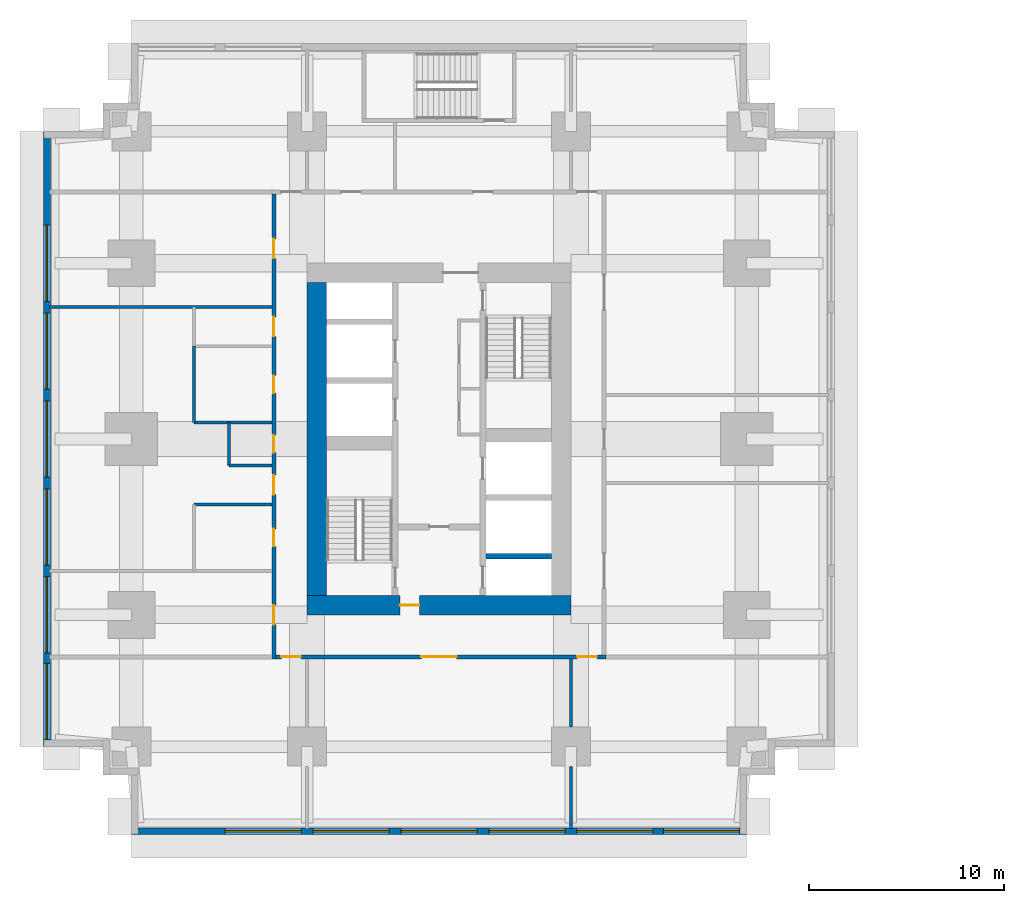
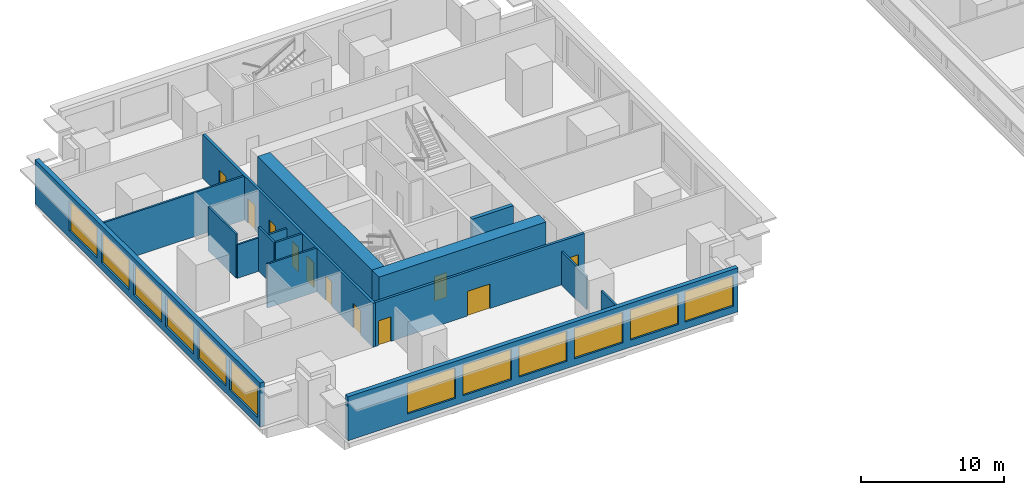
# One storey, part 3 of 11: 15 walls, 12 windows, 11 doors, 23 openings.
"""IFC4 building model written with IfcOpenShell, lengths in metres."""

from ifc_helpers import new_model, si_unit, direction, frame, frame_2d, origin, place, context, subcontext, project, spatial, rectangle, extrude, material, layer, layer_set, type_object, element, fill, save


model = new_model("IFC4")

# Units and contexts
model_context = context("Model", 3, precision=1e-05, world=origin(), true_north=direction((0.0, 1.0)))
body_context = subcontext(model_context, "Body", "Model", "MODEL_VIEW")
ifc_project = project(units=[si_unit("LENGTHUNIT", "METRE"), si_unit("AREAUNIT", "SQUARE_METRE"), si_unit("VOLUMEUNIT", "CUBIC_METRE"), si_unit("PLANEANGLEUNIT", "RADIAN"), si_unit("MASSUNIT", "GRAM", prefix="KILO")], contexts=[model_context])

# Site, building, storey
site_placement = place(None, origin())
site = spatial("IfcSite", under=ifc_project, at=site_placement, CompositionType="ELEMENT")
building_placement = place(site_placement, origin())
building = spatial("IfcBuilding", under=site, at=building_placement, Name="Namib Vertical Campus", CompositionType="ELEMENT")
storey_placement = place(building_placement, frame((0.0, 0.0, 49.0)))
storey = spatial("IfcBuildingStorey", under=building, at=storey_placement, Name="L11", CompositionType="ELEMENT", Elevation=49.0)

# Wall
ifc_material_1 = material(Name="Concrete C60/75", Category="concrete")
ifc_layer_1 = layer(ifc_material_1, 0.300048828125)
ifc_layer_set_1 = layer_set([ifc_layer_1], Name="Concrete C60/75")
wall_type_1 = type_object("IfcWallType", Name="Core inner wall 300", PredefinedType="SHEAR", material=ifc_layer_set_1)
wall_1_placement = place(storey_placement, frame((22.64990234375, 14.25, 0.0), z_axis=(0.0, 0.0, 1.0), x_axis=(1.0, 0.0, 0.0)))
element("IfcWall", 1, at=wall_1_placement, inside=storey, type_object=wall_type_1, Name="Core inner wall A L11 W5", PredefinedType="SHEAR", context=body_context, shape_type="SweptSolid", body=[
    extrude(rectangle(XDim=3.35009765625, YDim=0.300048828125, at=frame_2d((1.675048828125, 0.0))), origin(), (0.0, 0.0, 1.0), 4.0),
])

# Wall, opening, door
ifc_material_2 = material(Name="Concrete C60/75", Category="concrete")
ifc_layer_2 = layer(ifc_material_2, 1.0)
ifc_layer_set_2 = layer_set([ifc_layer_2], Name="Concrete C60/75")
wall_type_2 = type_object("IfcWallType", Name="Core wall 1000", PredefinedType="SHEAR", material=ifc_layer_set_2)
wall_2_placement = place(storey_placement, frame((13.5, 11.75, 0.0), z_axis=(0.0, 0.0, 1.0), x_axis=(1.0, 0.0, 0.0)))
wall_2 = element("IfcWall", 2, at=wall_2_placement, inside=storey, type_object=wall_type_2, Name="Core wall A L11 1", PredefinedType="SHEAR", context=body_context, shape_type="SweptSolid", body=[
    extrude(rectangle(XDim=13.5, YDim=1.0, at=frame_2d((6.75, 0.0))), origin(), (0.0, 0.0, 1.0), 4.0),
])
opening_1_placement = place(wall_2_placement, frame((4.75, 0.0, 0.0)))
opening_1 = element("IfcOpeningElement", 3, at=opening_1_placement, cuts=wall_2, Name="Opening FD5", PredefinedType="OPENING", context=body_context, shape_type="SweptSolid", body=[
    extrude(rectangle(XDim=1.0, YDim=2.10009765625, at=frame_2d((0.5, 1.050048828125))), frame((0.0, 0.510009765625, 0.0), z_axis=(0.0, -1.0, 0.0), x_axis=(1.0, 0.0, 0.0)), (0.0, 0.0, 1.0), 1.02001953125),
])
ifc_material_3 = material(Name="Steel fire door", Category="steel")
door_type_1 = type_object("IfcDoorType", Name="Fire door 1000x2100 120 min", OperationType="SINGLE_SWING_RIGHT", PredefinedType="DOOR", material=ifc_material_3)
door_1_placement = place(opening_1_placement, origin())
door_1 = element("IfcDoor", 4, at=door_1_placement, inside=storey, type_object=door_type_1, Name="Firefighting lobby door FD5 A L11", OperationType="SINGLE_SWING_LEFT", OverallHeight=2.10009765625, OverallWidth=1.0, PredefinedType="DOOR", context=body_context, shape_type="SweptSolid", body=[
    extrude(rectangle(XDim=1.0, YDim=2.10009765625, at=frame_2d((0.5, 1.050048828125))), frame((0.0, 0.02490234375, 0.0), z_axis=(0.0, -1.0, 0.0), x_axis=(1.0, 0.0, 0.0)), (0.0, 0.0, 1.0), 0.050048828125),
])
fill(opening_1, door_1)

# Wall
wall_3_placement = place(storey_placement, frame((14.0, 28.25, 0.0), z_axis=(0.0, 0.0, 1.0), x_axis=(0.0, -1.0, 0.0)))
element("IfcWall", 5, at=wall_3_placement, inside=storey, type_object=wall_type_2, Name="Core wall A L11 4", PredefinedType="SHEAR", context=body_context, shape_type="SweptSolid", body=[
    extrude(rectangle(XDim=16.0, YDim=1.0, at=frame_2d((8.0, 0.0))), origin(), (0.0, 0.0, 1.0), 4.0),
])

# Wall, openings, doors
ifc_material_4 = material(Name="Concrete masonry", Category="masonry")
ifc_layer_3 = layer(ifc_material_4, 0.199951171875)
ifc_layer_set_3 = layer_set([ifc_layer_3], Name="Corridor wall 200")
wall_type_3 = type_object("IfcWallType", Name="Corridor wall 200", PredefinedType="SOLIDWALL", material=ifc_layer_set_3)
wall_4_placement = place(storey_placement, frame((11.89990234375, 9.10009765625, 0.0), z_axis=(0.0, 0.0, 1.0), x_axis=(1.0, 0.0, 0.0)))
wall_4 = element("IfcWall", 6, at=wall_4_placement, inside=storey, type_object=wall_type_3, Name="Corridor wall A L11 CS", PredefinedType="SOLIDWALL", context=body_context, shape_type="SweptSolid", body=[
    extrude(rectangle(XDim=16.900146484375, YDim=0.199951171875, at=frame_2d((8.4501953125, 0.0))), origin(), (0.0, 0.0, 1.0), 3.75),
])
opening_2_placement = place(wall_4_placement, frame((0.27490234375, 0.0, 0.0)))
opening_2 = element("IfcOpeningElement", 7, at=opening_2_placement, cuts=wall_4, Name="Opening CD1", PredefinedType="OPENING", context=body_context, shape_type="SweptSolid", body=[
    extrude(rectangle(XDim=1.0, YDim=2.10009765625, at=frame_2d((0.5, 1.050048828125))), frame((0.0, 0.10986328125, 0.0), z_axis=(0.0, -1.0, 0.0), x_axis=(1.0, 0.0, 0.0)), (0.0, 0.0, 1.0), 0.219970703125),
])
opening_3_placement = place(wall_4_placement, frame((7.449951171875, 0.0, 0.0)))
opening_3 = element("IfcOpeningElement", 8, at=opening_3_placement, cuts=wall_4, Name="Opening CD2", PredefinedType="OPENING", context=body_context, shape_type="SweptSolid", body=[
    extrude(rectangle(XDim=1.800048828125, YDim=2.10009765625, at=frame_2d((0.89990234375, 1.050048828125))), frame((0.0, 0.10986328125, 0.0), z_axis=(0.0, -1.0, 0.0), x_axis=(1.0, 0.0, 0.0)), (0.0, 0.0, 1.0), 0.219970703125),
])
opening_4_placement = place(wall_4_placement, frame((15.425048828125, 0.0, 0.0)))
opening_4 = element("IfcOpeningElement", 9, at=opening_4_placement, cuts=wall_4, Name="Opening CD1", PredefinedType="OPENING", context=body_context, shape_type="SweptSolid", body=[
    extrude(rectangle(XDim=1.0, YDim=2.10009765625, at=frame_2d((0.5, 1.050048828125))), frame((0.0, 0.10986328125, 0.0), z_axis=(0.0, -1.0, 0.0), x_axis=(1.0, 0.0, 0.0)), (0.0, 0.0, 1.0), 0.219970703125),
])
ifc_material_5 = material(Name="Timber fire door leaf", Category="wood")
door_type_2 = type_object("IfcDoorType", Name="Corridor door 1000x2100 20 min", OperationType="SINGLE_SWING_LEFT", PredefinedType="DOOR", material=ifc_material_5)
door_2_placement = place(opening_2_placement, frame((1.0, 0.0, 0.0), z_axis=(0.0, 0.0, 1.0), x_axis=(-1.0, 0.0, 0.0)))
door_2 = element("IfcDoor", 10, at=door_2_placement, inside=storey, type_object=door_type_2, Name="Door CD1 A11-01", OperationType="SINGLE_SWING_LEFT", OverallHeight=2.10009765625, OverallWidth=1.0, PredefinedType="DOOR", context=body_context, shape_type="SweptSolid", body=[
    extrude(rectangle(XDim=1.0, YDim=2.10009765625, at=frame_2d((0.5, 1.050048828125))), frame((0.0, 0.02490234375, 0.0), z_axis=(0.0, -1.0, 0.0), x_axis=(1.0, 0.0, 0.0)), (0.0, 0.0, 1.0), 0.050048828125),
])
fill(opening_2, door_2)
door_3_placement = place(opening_4_placement, frame((1.0, 0.0, 0.0), z_axis=(0.0, 0.0, 1.0), x_axis=(-1.0, 0.0, 0.0)))
door_3 = element("IfcDoor", 11, at=door_3_placement, inside=storey, type_object=door_type_2, Name="Door CD1 A11-03", OperationType="SINGLE_SWING_RIGHT", OverallHeight=2.10009765625, OverallWidth=1.0, PredefinedType="DOOR", context=body_context, shape_type="SweptSolid", body=[
    extrude(rectangle(XDim=1.0, YDim=2.10009765625, at=frame_2d((0.5, 1.050048828125))), frame((0.0, 0.02490234375, 0.0), z_axis=(0.0, -1.0, 0.0), x_axis=(1.0, 0.0, 0.0)), (0.0, 0.0, 1.0), 0.050048828125),
])
fill(opening_4, door_3)
ifc_material_6 = material(Name="Timber fire door leaf", Category="wood")
door_type_3 = type_object("IfcDoorType", Name="Corridor door double 1800x2100 20 min", OperationType="DOUBLE_DOOR_SINGLE_SWING", PredefinedType="DOOR", material=ifc_material_6)
door_4_placement = place(opening_3_placement, frame((1.800048828125, 0.0, 0.0), z_axis=(0.0, 0.0, 1.0), x_axis=(-1.0, 0.0, 0.0)))
door_4 = element("IfcDoor", 12, at=door_4_placement, inside=storey, type_object=door_type_3, Name="Door CD2 A11-02", OperationType="DOUBLE_DOOR_SINGLE_SWING", OverallHeight=2.10009765625, OverallWidth=1.800048828125, PredefinedType="DOOR", context=body_context, shape_type="SweptSolid", body=[
    extrude(rectangle(XDim=1.800048828125, YDim=2.10009765625, at=frame_2d((0.89990234375, 1.050048828125))), frame((0.0, 0.02490234375, 0.0), z_axis=(0.0, -1.0, 0.0), x_axis=(1.0, 0.0, 0.0)), (0.0, 0.0, 1.0), 0.050048828125),
])
fill(opening_3, door_4)

wall_5_placement = place(storey_placement, frame((11.800048828125, 32.800048828125, 0.0), z_axis=(0.0, 0.0, 1.0), x_axis=(0.0, -1.0, 0.0)))
wall_5 = element("IfcWall", 13, at=wall_5_placement, inside=storey, type_object=wall_type_3, Name="Corridor wall A L11 CW", PredefinedType="SOLIDWALL", context=body_context, shape_type="SweptSolid", body=[
    extrude(rectangle(XDim=23.800048828125, YDim=0.199951171875, at=frame_2d((11.89990234375, 0.0))), origin(), (0.0, 0.0, 1.0), 3.75),
])
opening_5_placement = place(wall_5_placement, frame((21.050048828125, 0.0, 0.0)))
opening_5 = element("IfcOpeningElement", 14, at=opening_5_placement, cuts=wall_5, Name="Opening CD1", PredefinedType="OPENING", context=body_context, shape_type="SweptSolid", body=[
    extrude(rectangle(XDim=1.0, YDim=2.10009765625, at=frame_2d((0.5, 1.050048828125))), frame((0.0, 0.10986328125, 0.0), z_axis=(0.0, -1.0, 0.0), x_axis=(1.0, 0.0, 0.0)), (0.0, 0.0, 1.0), 0.219970703125),
])
opening_6_placement = place(wall_5_placement, frame((17.14990234375, 0.0, 0.0)))
opening_6 = element("IfcOpeningElement", 15, at=opening_6_placement, cuts=wall_5, Name="Opening CD3", PredefinedType="OPENING", context=body_context, shape_type="SweptSolid", body=[
    extrude(rectangle(XDim=0.89990234375, YDim=2.10009765625, at=frame_2d((0.449951171875, 1.050048828125))), frame((0.0, 0.10986328125, 0.0), z_axis=(0.0, -1.0, 0.0), x_axis=(1.0, 0.0, 0.0)), (0.0, 0.0, 1.0), 0.219970703125),
])
opening_7_placement = place(wall_5_placement, frame((12.35009765625, 0.0, 0.0)))
opening_7 = element("IfcOpeningElement", 16, at=opening_7_placement, cuts=wall_5, Name="Opening CD3", PredefinedType="OPENING", context=body_context, shape_type="SweptSolid", body=[
    extrude(rectangle(XDim=0.89990234375, YDim=2.10009765625, at=frame_2d((0.449951171875, 1.050048828125))), frame((0.0, 0.10986328125, 0.0), z_axis=(0.0, -1.0, 0.0), x_axis=(1.0, 0.0, 0.0)), (0.0, 0.0, 1.0), 0.219970703125),
])
opening_8_placement = place(wall_5_placement, frame((9.300048828125, 0.0, 0.0)))
opening_8 = element("IfcOpeningElement", 17, at=opening_8_placement, cuts=wall_5, Name="Opening CD3", PredefinedType="OPENING", context=body_context, shape_type="SweptSolid", body=[
    extrude(rectangle(XDim=0.89990234375, YDim=2.10009765625, at=frame_2d((0.449951171875, 1.050048828125))), frame((0.0, 0.10986328125, 0.0), z_axis=(0.0, -1.0, 0.0), x_axis=(1.0, 0.0, 0.0)), (0.0, 0.0, 1.0), 0.219970703125),
])
opening_9_placement = place(wall_5_placement, frame((6.300048828125, 0.0, 0.0)))
opening_9 = element("IfcOpeningElement", 18, at=opening_9_placement, cuts=wall_5, Name="Opening CD1", PredefinedType="OPENING", context=body_context, shape_type="SweptSolid", body=[
    extrude(rectangle(XDim=1.0, YDim=2.10009765625, at=frame_2d((0.5, 1.050048828125))), frame((0.0, 0.10986328125, 0.0), z_axis=(0.0, -1.0, 0.0), x_axis=(1.0, 0.0, 0.0)), (0.0, 0.0, 1.0), 0.219970703125),
])
opening_10_placement = place(wall_5_placement, frame((14.39990234375, 0.0, 0.0)))
opening_10 = element("IfcOpeningElement", 19, at=opening_10_placement, cuts=wall_5, Name="Opening CD1", PredefinedType="OPENING", context=body_context, shape_type="SweptSolid", body=[
    extrude(rectangle(XDim=1.0, YDim=2.10009765625, at=frame_2d((0.5, 1.050048828125))), frame((0.0, 0.10986328125, 0.0), z_axis=(0.0, -1.0, 0.0), x_axis=(1.0, 0.0, 0.0)), (0.0, 0.0, 1.0), 0.219970703125),
])
opening_11_placement = place(wall_5_placement, frame((2.300048828125, 0.0, 0.0)))
opening_11 = element("IfcOpeningElement", 20, at=opening_11_placement, cuts=wall_5, Name="Opening CD1", PredefinedType="OPENING", context=body_context, shape_type="SweptSolid", body=[
    extrude(rectangle(XDim=1.0, YDim=2.10009765625, at=frame_2d((0.5, 1.050048828125))), frame((0.0, 0.10986328125, 0.0), z_axis=(0.0, -1.0, 0.0), x_axis=(1.0, 0.0, 0.0)), (0.0, 0.0, 1.0), 0.219970703125),
])
door_5_placement = place(opening_5_placement, frame((1.0, 0.0, 0.0), z_axis=(0.0, 0.0, 1.0), x_axis=(-1.0, 0.0, 0.0)))
door_5 = element("IfcDoor", 21, at=door_5_placement, inside=storey, type_object=door_type_2, Name="Door CD1 A11-11", OperationType="SINGLE_SWING_RIGHT", OverallHeight=2.10009765625, OverallWidth=1.0, PredefinedType="DOOR", context=body_context, shape_type="SweptSolid", body=[
    extrude(rectangle(XDim=1.0, YDim=2.10009765625, at=frame_2d((0.5, 1.050048828125))), frame((0.0, 0.02490234375, 0.0), z_axis=(0.0, -1.0, 0.0), x_axis=(1.0, 0.0, 0.0)), (0.0, 0.0, 1.0), 0.050048828125),
])
fill(opening_5, door_5)
door_6_placement = place(opening_9_placement, frame((1.0, 0.0, 0.0), z_axis=(0.0, 0.0, 1.0), x_axis=(-1.0, 0.0, 0.0)))
door_6 = element("IfcDoor", 22, at=door_6_placement, inside=storey, type_object=door_type_2, Name="Door CD1 A11-15", OperationType="SINGLE_SWING_RIGHT", OverallHeight=2.10009765625, OverallWidth=1.0, PredefinedType="DOOR", context=body_context, shape_type="SweptSolid", body=[
    extrude(rectangle(XDim=1.0, YDim=2.10009765625, at=frame_2d((0.5, 1.050048828125))), frame((0.0, 0.02490234375, 0.0), z_axis=(0.0, -1.0, 0.0), x_axis=(1.0, 0.0, 0.0)), (0.0, 0.0, 1.0), 0.050048828125),
])
fill(opening_9, door_6)
door_7_placement = place(opening_10_placement, frame((1.0, 0.0, 0.0), z_axis=(0.0, 0.0, 1.0), x_axis=(-1.0, 0.0, 0.0)))
door_7 = element("IfcDoor", 23, at=door_7_placement, inside=storey, type_object=door_type_2, Name="Door CD1 A11-16", OperationType="SINGLE_SWING_RIGHT", OverallHeight=2.10009765625, OverallWidth=1.0, PredefinedType="DOOR", context=body_context, shape_type="SweptSolid", body=[
    extrude(rectangle(XDim=1.0, YDim=2.10009765625, at=frame_2d((0.5, 1.050048828125))), frame((0.0, 0.02490234375, 0.0), z_axis=(0.0, -1.0, 0.0), x_axis=(1.0, 0.0, 0.0)), (0.0, 0.0, 1.0), 0.050048828125),
])
fill(opening_10, door_7)
door_8_placement = place(opening_11_placement, frame((1.0, 0.0, 0.0), z_axis=(0.0, 0.0, 1.0), x_axis=(-1.0, 0.0, 0.0)))
door_8 = element("IfcDoor", 24, at=door_8_placement, inside=storey, type_object=door_type_2, Name="Door CD1 A11-17", OperationType="SINGLE_SWING_RIGHT", OverallHeight=2.10009765625, OverallWidth=1.0, PredefinedType="DOOR", context=body_context, shape_type="SweptSolid", body=[
    extrude(rectangle(XDim=1.0, YDim=2.10009765625, at=frame_2d((0.5, 1.050048828125))), frame((0.0, 0.02490234375, 0.0), z_axis=(0.0, -1.0, 0.0), x_axis=(1.0, 0.0, 0.0)), (0.0, 0.0, 1.0), 0.050048828125),
])
fill(opening_11, door_8)
ifc_material_7 = material(Name="Timber fire door leaf", Category="wood")
door_type_4 = type_object("IfcDoorType", Name="Corridor toilet door 900x2100 20 min", OperationType="SINGLE_SWING_LEFT", PredefinedType="DOOR", material=ifc_material_7)
door_9_placement = place(opening_6_placement, frame((0.89990234375, 0.0, 0.0), z_axis=(0.0, 0.0, 1.0), x_axis=(-1.0, 0.0, 0.0)))
door_9 = element("IfcDoor", 25, at=door_9_placement, inside=storey, type_object=door_type_4, Name="Door CD3 A11-12", OperationType="SINGLE_SWING_RIGHT", OverallHeight=2.10009765625, OverallWidth=0.89990234375, PredefinedType="DOOR", context=body_context, shape_type="SweptSolid", body=[
    extrude(rectangle(XDim=0.89990234375, YDim=2.10009765625, at=frame_2d((0.449951171875, 1.050048828125))), frame((0.0, 0.02490234375, 0.0), z_axis=(0.0, -1.0, 0.0), x_axis=(1.0, 0.0, 0.0)), (0.0, 0.0, 1.0), 0.050048828125),
])
fill(opening_6, door_9)
door_10_placement = place(opening_7_placement, frame((0.89990234375, 0.0, 0.0), z_axis=(0.0, 0.0, 1.0), x_axis=(-1.0, 0.0, 0.0)))
door_10 = element("IfcDoor", 26, at=door_10_placement, inside=storey, type_object=door_type_4, Name="Door CD3 A11-13", OperationType="SINGLE_SWING_RIGHT", OverallHeight=2.10009765625, OverallWidth=0.89990234375, PredefinedType="DOOR", context=body_context, shape_type="SweptSolid", body=[
    extrude(rectangle(XDim=0.89990234375, YDim=2.10009765625, at=frame_2d((0.449951171875, 1.050048828125))), frame((0.0, 0.02490234375, 0.0), z_axis=(0.0, -1.0, 0.0), x_axis=(1.0, 0.0, 0.0)), (0.0, 0.0, 1.0), 0.050048828125),
])
fill(opening_7, door_10)
door_11_placement = place(opening_8_placement, frame((0.89990234375, 0.0, 0.0), z_axis=(0.0, 0.0, 1.0), x_axis=(-1.0, 0.0, 0.0)))
door_11 = element("IfcDoor", 27, at=door_11_placement, inside=storey, type_object=door_type_4, Name="Door CD3 A11-14", OperationType="SINGLE_SWING_RIGHT", OverallHeight=2.10009765625, OverallWidth=0.89990234375, PredefinedType="DOOR", context=body_context, shape_type="SweptSolid", body=[
    extrude(rectangle(XDim=0.89990234375, YDim=2.10009765625, at=frame_2d((0.449951171875, 1.050048828125))), frame((0.0, 0.02490234375, 0.0), z_axis=(0.0, -1.0, 0.0), x_axis=(1.0, 0.0, 0.0)), (0.0, 0.0, 1.0), 0.050048828125),
])
fill(opening_8, door_11)

# Wall, openings, windows
ifc_material_8 = material(Name="Concrete C40/50", Category="concrete")
ifc_layer_4 = layer(ifc_material_8, 0.35009765625)
ifc_layer_set_4 = layer_set([ifc_layer_4], Name="Concrete C40/50")
wall_type_4 = type_object("IfcWallType", Name="External wall 350 bush-hammered concrete", PredefinedType="STANDARD", material=ifc_layer_set_4)
wall_6_placement = place(storey_placement, frame((4.52001953125, 0.175048828125, 0.0), z_axis=(0.0, 0.0, 1.0), x_axis=(1.0, 0.0, 0.0)))
wall_6 = element("IfcWall", 28, at=wall_6_placement, inside=storey, type_object=wall_type_4, Name="External wall L11 F01", PredefinedType="STANDARD", context=body_context, shape_type="SweptSolid", body=[
    extrude(rectangle(XDim=31.4599609375, YDim=0.35009765625, at=frame_2d((15.72998046875, 0.0))), origin(), (0.0, 0.0, 1.0), 3.75),
])
opening_12_placement = place(wall_6_placement, frame((4.780029296875, 0.0, 0.60009765625)))
opening_12 = element("IfcOpeningElement", 29, at=opening_12_placement, cuts=wall_6, Name="Opening W2", PredefinedType="OPENING", context=body_context, shape_type="SweptSolid", body=[
    extrude(rectangle(XDim=3.89990234375, YDim=2.60009765625, at=frame_2d((1.949951171875, 1.300048828125))), frame((0.0, 0.18505859375, 0.0), z_axis=(0.0, -1.0, 0.0), x_axis=(1.0, 0.0, 0.0)), (0.0, 0.0, 1.0), 0.3701171875),
])
opening_13_placement = place(wall_6_placement, frame((9.280029296875, 0.0, 0.60009765625)))
opening_13 = element("IfcOpeningElement", 30, at=opening_13_placement, cuts=wall_6, Name="Opening W2", PredefinedType="OPENING", context=body_context, shape_type="SweptSolid", body=[
    extrude(rectangle(XDim=3.89990234375, YDim=2.60009765625, at=frame_2d((1.949951171875, 1.300048828125))), frame((0.0, 0.18505859375, 0.0), z_axis=(0.0, -1.0, 0.0), x_axis=(1.0, 0.0, 0.0)), (0.0, 0.0, 1.0), 0.3701171875),
])
opening_14_placement = place(wall_6_placement, frame((13.780029296875, 0.0, 0.60009765625)))
opening_14 = element("IfcOpeningElement", 31, at=opening_14_placement, cuts=wall_6, Name="Opening W2", PredefinedType="OPENING", context=body_context, shape_type="SweptSolid", body=[
    extrude(rectangle(XDim=3.89990234375, YDim=2.60009765625, at=frame_2d((1.949951171875, 1.300048828125))), frame((0.0, 0.18505859375, 0.0), z_axis=(0.0, -1.0, 0.0), x_axis=(1.0, 0.0, 0.0)), (0.0, 0.0, 1.0), 0.3701171875),
])
opening_15_placement = place(wall_6_placement, frame((18.280029296875, 0.0, 0.60009765625)))
opening_15 = element("IfcOpeningElement", 32, at=opening_15_placement, cuts=wall_6, Name="Opening W2", PredefinedType="OPENING", context=body_context, shape_type="SweptSolid", body=[
    extrude(rectangle(XDim=3.89990234375, YDim=2.60009765625, at=frame_2d((1.949951171875, 1.300048828125))), frame((0.0, 0.18505859375, 0.0), z_axis=(0.0, -1.0, 0.0), x_axis=(1.0, 0.0, 0.0)), (0.0, 0.0, 1.0), 0.3701171875),
])
opening_16_placement = place(wall_6_placement, frame((22.780029296875, 0.0, 0.60009765625)))
opening_16 = element("IfcOpeningElement", 33, at=opening_16_placement, cuts=wall_6, Name="Opening W2", PredefinedType="OPENING", context=body_context, shape_type="SweptSolid", body=[
    extrude(rectangle(XDim=3.89990234375, YDim=2.60009765625, at=frame_2d((1.949951171875, 1.300048828125))), frame((0.0, 0.18505859375, 0.0), z_axis=(0.0, -1.0, 0.0), x_axis=(1.0, 0.0, 0.0)), (0.0, 0.0, 1.0), 0.3701171875),
])
opening_17_placement = place(wall_6_placement, frame((27.2099609375, 0.0, 0.60009765625)))
opening_17 = element("IfcOpeningElement", 34, at=opening_17_placement, cuts=wall_6, Name="Opening W2", PredefinedType="OPENING", context=body_context, shape_type="SweptSolid", body=[
    extrude(rectangle(XDim=3.89990234375, YDim=2.60009765625, at=frame_2d((1.949951171875, 1.300048828125))), frame((0.0, 0.18505859375, 0.0), z_axis=(0.0, -1.0, 0.0), x_axis=(1.0, 0.0, 0.0)), (0.0, 0.0, 1.0), 0.3701171875),
])
ifc_material_9 = material(Name="Dark tinted glass in black aluminium frame", Category="aluminium")
window_type = type_object("IfcWindowType", Name="Ribbon window 3900x2600", PartitioningType="SINGLE_PANEL", PredefinedType="WINDOW", material=ifc_material_9)
window_1_placement = place(opening_12_placement, origin())
window_1 = element("IfcWindow", 35, at=window_1_placement, inside=storey, type_object=window_type, Name="Window W2 L11 F01-2", OverallHeight=2.60009765625, OverallWidth=3.89990234375, PartitioningType="SINGLE_PANEL", PredefinedType="WINDOW", context=body_context, shape_type="SweptSolid", body=[
    extrude(rectangle(XDim=3.89990234375, YDim=2.60009765625, at=frame_2d((1.949951171875, 1.300048828125))), frame((0.0, 0.030029296875, 0.0), z_axis=(0.0, -1.0, 0.0), x_axis=(1.0, 0.0, 0.0)), (0.0, 0.0, 1.0), 0.06005859375),
])
fill(opening_12, window_1)
window_2_placement = place(opening_13_placement, origin())
window_2 = element("IfcWindow", 36, at=window_2_placement, inside=storey, type_object=window_type, Name="Window W2 L11 F01-3", OverallHeight=2.60009765625, OverallWidth=3.89990234375, PartitioningType="SINGLE_PANEL", PredefinedType="WINDOW", context=body_context, shape_type="SweptSolid", body=[
    extrude(rectangle(XDim=3.89990234375, YDim=2.60009765625, at=frame_2d((1.949951171875, 1.300048828125))), frame((0.0, 0.030029296875, 0.0), z_axis=(0.0, -1.0, 0.0), x_axis=(1.0, 0.0, 0.0)), (0.0, 0.0, 1.0), 0.06005859375),
])
fill(opening_13, window_2)
window_3_placement = place(opening_14_placement, origin())
window_3 = element("IfcWindow", 37, at=window_3_placement, inside=storey, type_object=window_type, Name="Window W2 L11 F01-4", OverallHeight=2.60009765625, OverallWidth=3.89990234375, PartitioningType="SINGLE_PANEL", PredefinedType="WINDOW", context=body_context, shape_type="SweptSolid", body=[
    extrude(rectangle(XDim=3.89990234375, YDim=2.60009765625, at=frame_2d((1.949951171875, 1.300048828125))), frame((0.0, 0.030029296875, 0.0), z_axis=(0.0, -1.0, 0.0), x_axis=(1.0, 0.0, 0.0)), (0.0, 0.0, 1.0), 0.06005859375),
])
fill(opening_14, window_3)
window_4_placement = place(opening_15_placement, origin())
window_4 = element("IfcWindow", 38, at=window_4_placement, inside=storey, type_object=window_type, Name="Window W2 L11 F01-5", OverallHeight=2.60009765625, OverallWidth=3.89990234375, PartitioningType="SINGLE_PANEL", PredefinedType="WINDOW", context=body_context, shape_type="SweptSolid", body=[
    extrude(rectangle(XDim=3.89990234375, YDim=2.60009765625, at=frame_2d((1.949951171875, 1.300048828125))), frame((0.0, 0.030029296875, 0.0), z_axis=(0.0, -1.0, 0.0), x_axis=(1.0, 0.0, 0.0)), (0.0, 0.0, 1.0), 0.06005859375),
])
fill(opening_15, window_4)
window_5_placement = place(opening_16_placement, origin())
window_5 = element("IfcWindow", 39, at=window_5_placement, inside=storey, type_object=window_type, Name="Window W2 L11 F01-6", OverallHeight=2.60009765625, OverallWidth=3.89990234375, PartitioningType="SINGLE_PANEL", PredefinedType="WINDOW", context=body_context, shape_type="SweptSolid", body=[
    extrude(rectangle(XDim=3.89990234375, YDim=2.60009765625, at=frame_2d((1.949951171875, 1.300048828125))), frame((0.0, 0.030029296875, 0.0), z_axis=(0.0, -1.0, 0.0), x_axis=(1.0, 0.0, 0.0)), (0.0, 0.0, 1.0), 0.06005859375),
])
fill(opening_16, window_5)
window_6_placement = place(opening_17_placement, origin())
window_6 = element("IfcWindow", 40, at=window_6_placement, inside=storey, type_object=window_type, Name="Window W2 L11 F01-7", OverallHeight=2.60009765625, OverallWidth=3.89990234375, PartitioningType="SINGLE_PANEL", PredefinedType="WINDOW", context=body_context, shape_type="SweptSolid", body=[
    extrude(rectangle(XDim=3.89990234375, YDim=2.60009765625, at=frame_2d((1.949951171875, 1.300048828125))), frame((0.0, 0.030029296875, 0.0), z_axis=(0.0, -1.0, 0.0), x_axis=(1.0, 0.0, 0.0)), (0.0, 0.0, 1.0), 0.06005859375),
])
fill(opening_17, window_6)

wall_7_placement = place(storey_placement, frame((0.175048828125, 35.97998046875, 0.0), z_axis=(0.0, 0.0, 1.0), x_axis=(0.0, -1.0, 0.0)))
wall_7 = element("IfcWall", 41, at=wall_7_placement, inside=storey, type_object=wall_type_4, Name="External wall L11 F16", PredefinedType="STANDARD", context=body_context, shape_type="SweptSolid", body=[
    extrude(rectangle(XDim=31.4599609375, YDim=0.35009765625, at=frame_2d((15.72998046875, 0.0))), origin(), (0.0, 0.0, 1.0), 3.75),
])
opening_18_placement = place(wall_7_placement, frame((27.2099609375, 0.0, 0.60009765625)))
opening_18 = element("IfcOpeningElement", 42, at=opening_18_placement, cuts=wall_7, Name="Opening W2", PredefinedType="OPENING", context=body_context, shape_type="SweptSolid", body=[
    extrude(rectangle(XDim=3.89990234375, YDim=2.60009765625, at=frame_2d((1.949951171875, 1.300048828125))), frame((0.0, 0.18505859375, 0.0), z_axis=(0.0, -1.0, 0.0), x_axis=(1.0, 0.0, 0.0)), (0.0, 0.0, 1.0), 0.3701171875),
])
opening_19_placement = place(wall_7_placement, frame((22.780029296875, 0.0, 0.60009765625)))
opening_19 = element("IfcOpeningElement", 43, at=opening_19_placement, cuts=wall_7, Name="Opening W2", PredefinedType="OPENING", context=body_context, shape_type="SweptSolid", body=[
    extrude(rectangle(XDim=3.89990234375, YDim=2.60009765625, at=frame_2d((1.949951171875, 1.300048828125))), frame((0.0, 0.18505859375, 0.0), z_axis=(0.0, -1.0, 0.0), x_axis=(1.0, 0.0, 0.0)), (0.0, 0.0, 1.0), 0.3701171875),
])
opening_20_placement = place(wall_7_placement, frame((18.280029296875, 0.0, 0.60009765625)))
opening_20 = element("IfcOpeningElement", 44, at=opening_20_placement, cuts=wall_7, Name="Opening W2", PredefinedType="OPENING", context=body_context, shape_type="SweptSolid", body=[
    extrude(rectangle(XDim=3.89990234375, YDim=2.60009765625, at=frame_2d((1.949951171875, 1.300048828125))), frame((0.0, 0.18505859375, 0.0), z_axis=(0.0, -1.0, 0.0), x_axis=(1.0, 0.0, 0.0)), (0.0, 0.0, 1.0), 0.3701171875),
])
opening_21_placement = place(wall_7_placement, frame((13.780029296875, 0.0, 0.60009765625)))
opening_21 = element("IfcOpeningElement", 45, at=opening_21_placement, cuts=wall_7, Name="Opening W2", PredefinedType="OPENING", context=body_context, shape_type="SweptSolid", body=[
    extrude(rectangle(XDim=3.89990234375, YDim=2.60009765625, at=frame_2d((1.949951171875, 1.300048828125))), frame((0.0, 0.18505859375, 0.0), z_axis=(0.0, -1.0, 0.0), x_axis=(1.0, 0.0, 0.0)), (0.0, 0.0, 1.0), 0.3701171875),
])
opening_22_placement = place(wall_7_placement, frame((9.280029296875, 0.0, 0.60009765625)))
opening_22 = element("IfcOpeningElement", 46, at=opening_22_placement, cuts=wall_7, Name="Opening W2", PredefinedType="OPENING", context=body_context, shape_type="SweptSolid", body=[
    extrude(rectangle(XDim=3.89990234375, YDim=2.60009765625, at=frame_2d((1.949951171875, 1.300048828125))), frame((0.0, 0.18505859375, 0.0), z_axis=(0.0, -1.0, 0.0), x_axis=(1.0, 0.0, 0.0)), (0.0, 0.0, 1.0), 0.3701171875),
])
opening_23_placement = place(wall_7_placement, frame((4.780029296875, 0.0, 0.60009765625)))
opening_23 = element("IfcOpeningElement", 47, at=opening_23_placement, cuts=wall_7, Name="Opening W2", PredefinedType="OPENING", context=body_context, shape_type="SweptSolid", body=[
    extrude(rectangle(XDim=3.89990234375, YDim=2.60009765625, at=frame_2d((1.949951171875, 1.300048828125))), frame((0.0, 0.18505859375, 0.0), z_axis=(0.0, -1.0, 0.0), x_axis=(1.0, 0.0, 0.0)), (0.0, 0.0, 1.0), 0.3701171875),
])
window_7_placement = place(opening_18_placement, origin())
window_7 = element("IfcWindow", 48, at=window_7_placement, inside=storey, type_object=window_type, Name="Window W2 L11 F16-1", OverallHeight=2.60009765625, OverallWidth=3.89990234375, PartitioningType="SINGLE_PANEL", PredefinedType="WINDOW", context=body_context, shape_type="SweptSolid", body=[
    extrude(rectangle(XDim=3.89990234375, YDim=2.60009765625, at=frame_2d((1.949951171875, 1.300048828125))), frame((0.0, 0.030029296875, 0.0), z_axis=(0.0, -1.0, 0.0), x_axis=(1.0, 0.0, 0.0)), (0.0, 0.0, 1.0), 0.06005859375),
])
fill(opening_18, window_7)
window_8_placement = place(opening_19_placement, origin())
window_8 = element("IfcWindow", 49, at=window_8_placement, inside=storey, type_object=window_type, Name="Window W2 L11 F16-2", OverallHeight=2.60009765625, OverallWidth=3.89990234375, PartitioningType="SINGLE_PANEL", PredefinedType="WINDOW", context=body_context, shape_type="SweptSolid", body=[
    extrude(rectangle(XDim=3.89990234375, YDim=2.60009765625, at=frame_2d((1.949951171875, 1.300048828125))), frame((0.0, 0.030029296875, 0.0), z_axis=(0.0, -1.0, 0.0), x_axis=(1.0, 0.0, 0.0)), (0.0, 0.0, 1.0), 0.06005859375),
])
fill(opening_19, window_8)
window_9_placement = place(opening_20_placement, origin())
window_9 = element("IfcWindow", 50, at=window_9_placement, inside=storey, type_object=window_type, Name="Window W2 L11 F16-3", OverallHeight=2.60009765625, OverallWidth=3.89990234375, PartitioningType="SINGLE_PANEL", PredefinedType="WINDOW", context=body_context, shape_type="SweptSolid", body=[
    extrude(rectangle(XDim=3.89990234375, YDim=2.60009765625, at=frame_2d((1.949951171875, 1.300048828125))), frame((0.0, 0.030029296875, 0.0), z_axis=(0.0, -1.0, 0.0), x_axis=(1.0, 0.0, 0.0)), (0.0, 0.0, 1.0), 0.06005859375),
])
fill(opening_20, window_9)
window_10_placement = place(opening_21_placement, origin())
window_10 = element("IfcWindow", 51, at=window_10_placement, inside=storey, type_object=window_type, Name="Window W2 L11 F16-4", OverallHeight=2.60009765625, OverallWidth=3.89990234375, PartitioningType="SINGLE_PANEL", PredefinedType="WINDOW", context=body_context, shape_type="SweptSolid", body=[
    extrude(rectangle(XDim=3.89990234375, YDim=2.60009765625, at=frame_2d((1.949951171875, 1.300048828125))), frame((0.0, 0.030029296875, 0.0), z_axis=(0.0, -1.0, 0.0), x_axis=(1.0, 0.0, 0.0)), (0.0, 0.0, 1.0), 0.06005859375),
])
fill(opening_21, window_10)
window_11_placement = place(opening_22_placement, origin())
window_11 = element("IfcWindow", 52, at=window_11_placement, inside=storey, type_object=window_type, Name="Window W2 L11 F16-5", OverallHeight=2.60009765625, OverallWidth=3.89990234375, PartitioningType="SINGLE_PANEL", PredefinedType="WINDOW", context=body_context, shape_type="SweptSolid", body=[
    extrude(rectangle(XDim=3.89990234375, YDim=2.60009765625, at=frame_2d((1.949951171875, 1.300048828125))), frame((0.0, 0.030029296875, 0.0), z_axis=(0.0, -1.0, 0.0), x_axis=(1.0, 0.0, 0.0)), (0.0, 0.0, 1.0), 0.06005859375),
])
fill(opening_22, window_11)
window_12_placement = place(opening_23_placement, origin())
window_12 = element("IfcWindow", 53, at=window_12_placement, inside=storey, type_object=window_type, Name="Window W2 L11 F16-6", OverallHeight=2.60009765625, OverallWidth=3.89990234375, PartitioningType="SINGLE_PANEL", PredefinedType="WINDOW", context=body_context, shape_type="SweptSolid", body=[
    extrude(rectangle(XDim=3.89990234375, YDim=2.60009765625, at=frame_2d((1.949951171875, 1.300048828125))), frame((0.0, 0.030029296875, 0.0), z_axis=(0.0, -1.0, 0.0), x_axis=(1.0, 0.0, 0.0)), (0.0, 0.0, 1.0), 0.06005859375),
])
fill(opening_23, window_12)

# Walls
ifc_material_10 = material(Name="Gypsum board on steel studs", Category="steel")
ifc_layer_5 = layer(ifc_material_10, 0.14990234375)
ifc_layer_set_5 = layer_set([ifc_layer_5], Name="Gypsum board on steel studs")
wall_type_5 = type_object("IfcWallType", Name="Partition 150", PredefinedType="PARTITIONING", material=ifc_layer_set_5)
wall_8_placement = place(storey_placement, frame((27.0, 0.300048828125, 0.0), z_axis=(0.0, 0.0, 1.0), x_axis=(0.0, 1.0, 0.0)))
element("IfcWall", 54, at=wall_8_placement, inside=storey, type_object=wall_type_5, Name="Partition A L11 PS2", PredefinedType="PARTITIONING", context=body_context, shape_type="SweptSolid", body=[
    extrude(rectangle(XDim=3.179931640625, YDim=0.14990234375, at=frame_2d((1.58984375, 0.0))), origin(), (0.0, 0.0, 1.0), 2.85009765625),
])
wall_9_placement = place(storey_placement, frame((27.0, 5.52001953125, 0.0), z_axis=(0.0, 0.0, 1.0), x_axis=(0.0, 1.0, 0.0)))
element("IfcWall", 55, at=wall_9_placement, inside=storey, type_object=wall_type_5, Name="Partition A L11 PS2", PredefinedType="PARTITIONING", context=body_context, shape_type="SweptSolid", body=[
    extrude(rectangle(XDim=3.47998046875, YDim=0.14990234375, at=frame_2d((1.739990234375, 0.0))), origin(), (0.0, 0.0, 1.0), 2.85009765625),
])
wall_10_placement = place(storey_placement, frame((0.300048828125, 27.0, 0.0), z_axis=(0.0, 0.0, 1.0), x_axis=(1.0, 0.0, 0.0)))
element("IfcWall", 56, at=wall_10_placement, inside=storey, type_object=wall_type_5, Name="Partition A L11 PW2", PredefinedType="PARTITIONING", context=body_context, shape_type="SweptSolid", body=[
    extrude(rectangle(XDim=11.39990234375, YDim=0.14990234375, at=frame_2d((5.699951171875, 0.0))), origin(), (0.0, 0.0, 1.0), 3.75),
])
wall_11_placement = place(storey_placement, frame((11.699951171875, 16.89990234375, 0.0), z_axis=(0.0, 0.0, 1.0), x_axis=(-1.0, 0.0, 0.0)))
element("IfcWall", 57, at=wall_11_placement, inside=storey, type_object=wall_type_5, Name="Partition A L11 WR1", PredefinedType="PARTITIONING", context=body_context, shape_type="SweptSolid", body=[
    extrude(rectangle(XDim=4.0, YDim=0.14990234375, at=frame_2d((2.0, 0.0))), origin(), (0.0, 0.0, 1.0), 3.75),
])
wall_12_placement = place(storey_placement, frame((11.699951171875, 18.89990234375, 0.0), z_axis=(0.0, 0.0, 1.0), x_axis=(-1.0, 0.0, 0.0)))
element("IfcWall", 58, at=wall_12_placement, inside=storey, type_object=wall_type_5, Name="Partition A L11 WR2", PredefinedType="PARTITIONING", context=body_context, shape_type="SweptSolid", body=[
    extrude(rectangle(XDim=2.199951171875, YDim=0.14990234375, at=frame_2d((1.10009765625, 0.0))), origin(), (0.0, 0.0, 1.0), 3.75),
])
wall_13_placement = place(storey_placement, frame((11.699951171875, 21.10009765625, 0.0), z_axis=(0.0, 0.0, 1.0), x_axis=(-1.0, 0.0, 0.0)))
element("IfcWall", 59, at=wall_13_placement, inside=storey, type_object=wall_type_5, Name="Partition A L11 WR3", PredefinedType="PARTITIONING", context=body_context, shape_type="SweptSolid", body=[
    extrude(rectangle(XDim=4.0, YDim=0.14990234375, at=frame_2d((2.0, 0.0))), origin(), (0.0, 0.0, 1.0), 2.85009765625),
])
wall_14_placement = place(storey_placement, frame((9.5, 18.89990234375, 0.0), z_axis=(0.0, 0.0, 1.0), x_axis=(0.0, 1.0, 0.0)))
element("IfcWall", 60, at=wall_14_placement, inside=storey, type_object=wall_type_5, Name="Partition A L11 WB2", PredefinedType="PARTITIONING", context=body_context, shape_type="SweptSolid", body=[
    extrude(rectangle(XDim=2.2001953125, YDim=0.14990234375, at=frame_2d((1.10009765625, 0.0))), origin(), (0.0, 0.0, 1.0), 3.75),
])
wall_15_placement = place(storey_placement, frame((7.699951171875, 21.10009765625, 0.0), z_axis=(0.0, 0.0, 1.0), x_axis=(0.0, 1.0, 0.0)))
element("IfcWall", 61, at=wall_15_placement, inside=storey, type_object=wall_type_5, Name="Partition A L11 WB3", PredefinedType="PARTITIONING", context=body_context, shape_type="SweptSolid", body=[
    extrude(rectangle(XDim=3.89990234375, YDim=0.14990234375, at=frame_2d((1.949951171875, 0.0))), origin(), (0.0, 0.0, 1.0), 3.75),
])

save(model, "model.ifc")
